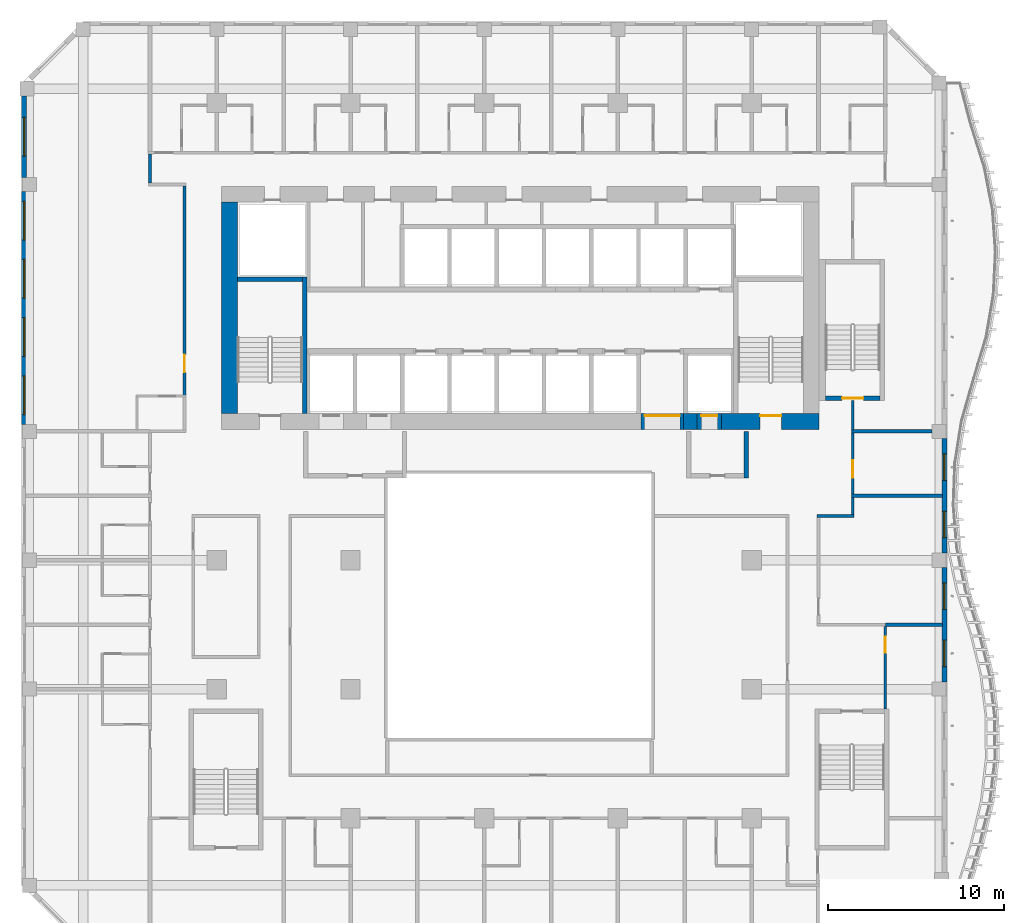
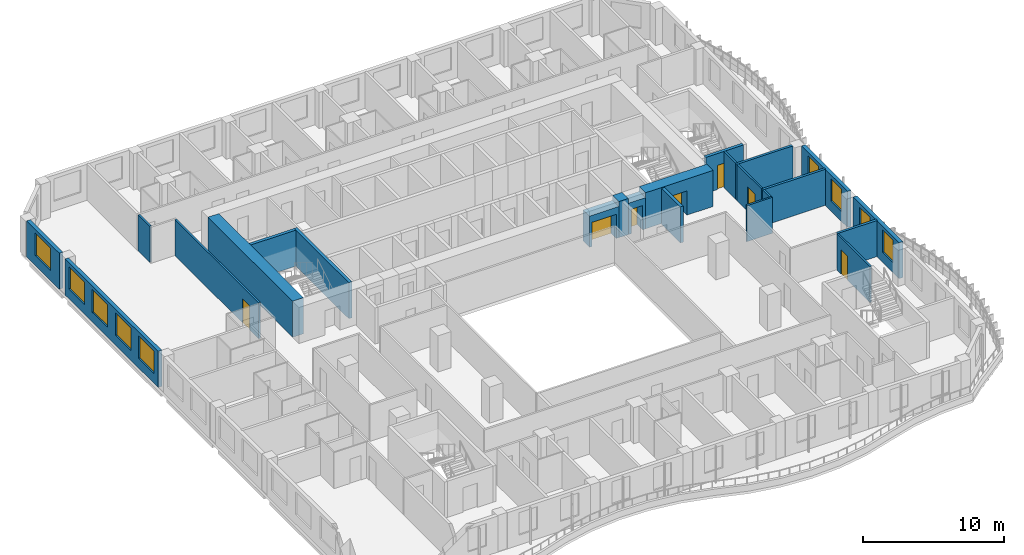
# One storey, part 6 of 22: 23 walls, 9 windows, 7 doors, 16 openings.
"""IFC4 building model written with IfcOpenShell, lengths in metres."""

from ifc_helpers import new_model, si_unit, direction, frame, frame_2d, origin, place, context, subcontext, project, spatial, rectangle, extrude, source, transform, mapped, material, layer, layer_set, type_object, element, fill, save


model = new_model("IFC4")

# Units and contexts
model_context = context("Model", 3, precision=1e-05, world=origin(), true_north=direction((0.0, 1.0)))
body_context = subcontext(model_context, "Body", "Model", "MODEL_VIEW")
ifc_project = project(units=[si_unit("LENGTHUNIT", "METRE"), si_unit("AREAUNIT", "SQUARE_METRE"), si_unit("VOLUMEUNIT", "CUBIC_METRE"), si_unit("PLANEANGLEUNIT", "RADIAN"), si_unit("MASSUNIT", "GRAM", prefix="KILO")], contexts=[model_context])

# Site, building, storey
site_placement = place(None, origin())
site = spatial("IfcSite", under=ifc_project, at=site_placement, CompositionType="ELEMENT")
building_placement = place(site_placement, origin())
building = spatial("IfcBuilding", under=site, at=building_placement, Name="Kilnfold Tower and Market Hall", CompositionType="ELEMENT")
storey_placement = place(building_placement, frame((0.0, 0.0, 143.89990234375)))
storey = spatial("IfcBuildingStorey", under=building, at=storey_placement, Name="L32", CompositionType="ELEMENT", Elevation=143.89990234375)

# Wall, opening, door
ifc_material_1 = material(Name="Gypsum board on steel studs", Category="steel")
ifc_layer_1 = layer(ifc_material_1, 0.14990234375)
ifc_layer_set_1 = layer_set([ifc_layer_1], Name="Gypsum board on steel studs")
wall_type_1 = type_object("IfcWallType", Name="WALL CORRIDOR 150", PredefinedType="PARTITIONING", material=ifc_layer_set_1)
wall_1_placement = place(storey_placement, frame((-18.0, 10.0400390625, 0.0), z_axis=(0.0, 0.0, 1.0), x_axis=(0.0, 1.0, 0.0)))
wall_1 = element("IfcWall", 1, at=wall_1_placement, inside=storey, type_object=wall_type_1, Name="Partition LY21.20", PredefinedType="PARTITIONING", context=body_context, shape_type="SweptSolid", body=[
    extrude(rectangle(XDim=11.885009765625, YDim=0.14990234375, at=frame_2d((5.9423828125, 0.0))), origin(), (0.0, 0.0, 1.0), 3.1201171875),
])
opening_1_placement = place(wall_1_placement, frame((1.30908203125, 0.0, 0.0)))
opening_1 = element("IfcOpeningElement", 2, at=opening_1_placement, cuts=wall_1, Name="Opening D1", PredefinedType="OPENING", context=body_context, shape_type="SweptSolid", body=[
    extrude(rectangle(XDim=1.0, YDim=2.10009765625, at=frame_2d((0.5, 1.050048828125))), frame((0.0, 0.0849609375, 0.0), z_axis=(0.0, -1.0, 0.0), x_axis=(1.0, 0.0, 0.0)), (0.0, 0.0, 1.0), 0.169921875),
])
ifc_material_2 = material(Name="Timber veneer door leaf in steel frame", Category="steel")
door_type_1 = type_object("IfcDoorType", Name="DOOR ENTRY 1000 X2100", OperationType="NOTDEFINED", PredefinedType="DOOR", material=ifc_material_2)
door_1_placement = place(opening_1_placement, origin())
door_1 = element("IfcDoor", 3, at=door_1_placement, inside=storey, type_object=door_type_1, Name="Door D1", OperationType="SINGLE_SWING_RIGHT", OverallHeight=2.10009765625, OverallWidth=1.0, PredefinedType="DOOR", context=body_context, shape_type="SweptSolid", body=[
    extrude(rectangle(XDim=1.0, YDim=2.10009765625, at=frame_2d((0.5, 1.050048828125))), frame((0.0, 0.02490234375, 0.0), z_axis=(0.0, -1.0, 0.0), x_axis=(1.0, 0.0, 0.0)), (0.0, 0.0, 1.0), 0.050048828125),
])
fill(opening_1, door_1)

# Wall
wall_2_placement = place(storey_placement, frame((-19.958984375, 22.074951171875, 0.0), z_axis=(0.0, 0.0, 1.0), x_axis=(0.0, 1.0, 0.0)))
element("IfcWall", 4, at=wall_2_placement, inside=storey, type_object=wall_type_1, Name="Partition LY21.22", PredefinedType="PARTITIONING", context=body_context, shape_type="SweptSolid", body=[
    extrude(rectangle(XDim=1.650146484375, YDim=0.14990234375, at=frame_2d((0.8251953125, 0.0))), origin(), (0.0, 0.0, 1.0), 3.1201171875),
])

# Wall, opening, door
wall_3_placement = place(storey_placement, frame((19.89990234375, 4.43408203125, 0.0), z_axis=(0.0, 0.0, 1.0), x_axis=(0.0, 1.0, 0.0)))
wall_3 = element("IfcWall", 5, at=wall_3_placement, inside=storey, type_object=wall_type_1, Name="Partition LY21.27", PredefinedType="PARTITIONING", context=body_context, shape_type="SweptSolid", body=[
    extrude(rectangle(XDim=3.475830078125, YDim=0.14990234375, at=frame_2d((1.73779296875, 0.0))), origin(), (0.0, 0.0, 1.0), 3.1201171875),
])
opening_2_placement = place(wall_3_placement, frame((0.927001953125, 0.0, 0.0)))
opening_2 = element("IfcOpeningElement", 6, at=opening_2_placement, cuts=wall_3, Name="Opening D4", PredefinedType="OPENING", context=body_context, shape_type="SweptSolid", body=[
    extrude(rectangle(XDim=1.0, YDim=2.10009765625, at=frame_2d((0.5, 1.050048828125))), frame((0.0, 0.0849609375, 0.0), z_axis=(0.0, -1.0, 0.0), x_axis=(1.0, 0.0, 0.0)), (0.0, 0.0, 1.0), 0.169921875),
])
ifc_material_3 = material(Name="Timber veneer door leaf in steel frame", Category="steel")
door_type_2 = type_object("IfcDoorType", Name="DOOR SERVICE 1000 X2100", OperationType="NOTDEFINED", PredefinedType="DOOR", material=ifc_material_3)
door_2_placement = place(opening_2_placement, origin())
door_2 = element("IfcDoor", 7, at=door_2_placement, inside=storey, type_object=door_type_2, Name="Door D4", OperationType="SINGLE_SWING_RIGHT", OverallHeight=2.10009765625, OverallWidth=1.0, PredefinedType="DOOR", context=body_context, shape_type="SweptSolid", body=[
    extrude(rectangle(XDim=1.0, YDim=2.10009765625, at=frame_2d((0.5, 1.050048828125))), frame((0.0, 0.02490234375, 0.0), z_axis=(0.0, -1.0, 0.0), x_axis=(1.0, 0.0, 0.0)), (0.0, 0.0, 1.0), 0.050048828125),
])
fill(opening_2, door_2)

# Walls
wall_4_placement = place(storey_placement, frame((19.89990234375, 8.090087890625, 0.0), z_axis=(0.0, 0.0, 1.0), x_axis=(0.0, 1.0, 0.0)))
element("IfcWall", 8, at=wall_4_placement, inside=storey, type_object=wall_type_1, Name="Partition LY21.30", PredefinedType="PARTITIONING", context=body_context, shape_type="SweptSolid", body=[
    extrude(rectangle(XDim=1.659912109375, YDim=0.14990234375, at=frame_2d((0.830078125, 0.0))), origin(), (0.0, 0.0, 1.0), 3.1201171875),
])
wall_5_placement = place(storey_placement, frame((19.89990234375, 3.27490234375, 0.0), z_axis=(0.0, 0.0, 1.0), x_axis=(0.0, 1.0, 0.0)))
element("IfcWall", 9, at=wall_5_placement, inside=storey, type_object=wall_type_1, Name="Partition LY21.31", PredefinedType="PARTITIONING", context=body_context, shape_type="SweptSolid", body=[
    extrude(rectangle(XDim=0.97900390625, YDim=0.14990234375, at=frame_2d((0.489501953125, 0.0))), origin(), (0.0, 0.0, 1.0), 3.1201171875),
])
wall_6_placement = place(storey_placement, frame((17.884033203125, 3.199951171875, 0.0), z_axis=(0.0, 0.0, 1.0), x_axis=(1.0, 0.0, 0.0)))
element("IfcWall", 10, at=wall_6_placement, inside=storey, type_object=wall_type_1, Name="Partition LY21.32", PredefinedType="PARTITIONING", context=body_context, shape_type="SweptSolid", body=[
    extrude(rectangle(XDim=2.091064453125, YDim=0.14990234375, at=frame_2d((1.04541015625, 0.0))), origin(), (0.0, 0.0, 1.0), 3.1201171875),
])

# Wall, opening, door
wall_7_placement = place(storey_placement, frame((21.75, -7.75, 0.0), z_axis=(0.0, 0.0, 1.0), x_axis=(0.0, 1.0, 0.0)))
wall_7 = element("IfcWall", 11, at=wall_7_placement, inside=storey, type_object=wall_type_1, Name="Partition LY21.35", PredefinedType="PARTITIONING", context=body_context, shape_type="SweptSolid", body=[
    extrude(rectangle(XDim=4.681884765625, YDim=0.14990234375, at=frame_2d((2.3408203125, 0.0))), origin(), (0.0, 0.0, 1.0), 3.1201171875),
])
opening_3_placement = place(wall_7_placement, frame((3.205078125, 0.0, 0.0)))
opening_3 = element("IfcOpeningElement", 12, at=opening_3_placement, cuts=wall_7, Name="Opening D2", PredefinedType="OPENING", context=body_context, shape_type="SweptSolid", body=[
    extrude(rectangle(XDim=0.89990234375, YDim=2.10009765625, at=frame_2d((0.449951171875, 1.050048828125))), frame((0.0, 0.0849609375, 0.0), z_axis=(0.0, -1.0, 0.0), x_axis=(1.0, 0.0, 0.0)), (0.0, 0.0, 1.0), 0.169921875),
])
ifc_material_4 = material(Name="Timber veneer door leaf in steel frame", Category="steel")
door_type_3 = type_object("IfcDoorType", Name="DOOR ROOM 900 X2100", OperationType="NOTDEFINED", PredefinedType="DOOR", material=ifc_material_4)
door_3_placement = place(opening_3_placement, origin())
door_3 = element("IfcDoor", 13, at=door_3_placement, inside=storey, type_object=door_type_3, Name="Door D2", OperationType="SINGLE_SWING_LEFT", OverallHeight=2.10009765625, OverallWidth=0.89990234375, PredefinedType="DOOR", context=body_context, shape_type="SweptSolid", body=[
    extrude(rectangle(XDim=0.89990234375, YDim=2.10009765625, at=frame_2d((0.449951171875, 1.050048828125))), frame((0.0, 0.02490234375, 0.0), z_axis=(0.0, -1.0, 0.0), x_axis=(1.0, 0.0, 0.0)), (0.0, 0.0, 1.0), 0.050048828125),
])
fill(opening_3, door_3)

# Walls
ifc_material_5 = material(Name="Gypsum board on steel studs", Category="steel")
ifc_layer_2 = layer(ifc_material_5, 0.199951171875)
ifc_layer_set_2 = layer_set([ifc_layer_2], Name="Gypsum board on steel studs")
wall_type_2 = type_object("IfcWallType", Name="WALL PARTY 200", PredefinedType="PARTITIONING", material=ifc_layer_set_2)
wall_8_placement = place(storey_placement, frame((19.826904296875, 8.0, 0.0), z_axis=(0.0, 0.0, 1.0), x_axis=(1.0, 0.0, 0.0)))
element("IfcWall", 14, at=wall_8_placement, inside=storey, type_object=wall_type_2, Name="Partition LY21.123", PredefinedType="PARTITIONING", context=body_context, shape_type="SweptSolid", body=[
    extrude(rectangle(XDim=4.572998046875, YDim=0.199951171875, at=frame_2d((2.28662109375, 0.0))), origin(), (0.0, 0.0, 1.0), 3.1201171875),
])
wall_9_placement = place(storey_placement, frame((19.826904296875, 4.343994140625, 0.0), z_axis=(0.0, 0.0, 1.0), x_axis=(1.0, 0.0, 0.0)))
element("IfcWall", 15, at=wall_9_placement, inside=storey, type_object=wall_type_2, Name="Partition LY21.124", PredefinedType="PARTITIONING", context=body_context, shape_type="SweptSolid", body=[
    extrude(rectangle(XDim=5.173095703125, YDim=0.199951171875, at=frame_2d((2.58642578125, 0.0))), origin(), (0.0, 0.0, 1.0), 3.1201171875),
])
wall_10_placement = place(storey_placement, frame((21.7509765625, -2.968017578125, 0.0), z_axis=(0.0, 0.0, 1.0), x_axis=(0.999999954829, -0.000300571071, 0.0)))
element("IfcWall", 16, at=wall_10_placement, inside=storey, type_object=wall_type_2, Name="Partition LY21.125", PredefinedType="PARTITIONING", context=body_context, shape_type="SweptSolid", body=[
    extrude(rectangle(XDim=3.2490234375, YDim=0.199951171875, at=frame_2d((1.62451171875, 0.0))), origin(), (0.0, 0.0, 1.0), 3.1201171875),
])
ifc_material_6 = material(Name="Concrete C70", Category="concrete")
ifc_layer_3 = layer(ifc_material_6, 0.89990234375)
ifc_layer_set_3 = layer_set([ifc_layer_3], Name="Concrete C70")
wall_type_3 = type_object("IfcWallType", Name="CORE WALL 900 C70", PredefinedType="SHEAR", material=ifc_layer_set_3)
shared_shape_1 = source(origin(), body_context, "Body", "SweptSolid", [
    extrude(rectangle(XDim=0.780029296875, YDim=0.89990234375, at=frame_2d((0.39013671875, 0.0))), origin(), (0.0, 0.0, 1.0), 3.1201171875),
])
wall_11_placement = place(storey_placement, frame((10.2900390625, 8.550048828125, 0.0), z_axis=(0.0, 0.0, 1.0), x_axis=(1.0, 0.0, 0.0)))
element("IfcWall", 17, at=wall_11_placement, inside=storey, type_object=wall_type_3, Name="Core outer wall south", PredefinedType="SHEAR", context=body_context, shape_type="MappedRepresentation", body=[
    mapped(shared_shape_1, transform((0.0, 0.0, 0.0))),
])

# Wall, opening, door
shared_shape_2 = source(origin(), body_context, "Body", "SweptSolid", [
    extrude(rectangle(XDim=5.530029296875, YDim=0.89990234375, at=frame_2d((2.76513671875, 0.0))), origin(), (0.0, 0.0, 1.0), 3.1201171875),
])
wall_12_placement = place(storey_placement, frame((12.469970703125, 8.550048828125, 0.0), z_axis=(0.0, 0.0, 1.0), x_axis=(1.0, 0.0, 0.0)))
wall_12 = element("IfcWall", 18, at=wall_12_placement, inside=storey, type_object=wall_type_3, Name="Core outer wall south", PredefinedType="SHEAR", context=body_context, shape_type="MappedRepresentation", body=[
    mapped(shared_shape_2, transform((0.0, 0.0, 0.0))),
])
opening_4_placement = place(wall_12_placement, frame((2.179931640625, 0.0, 0.0)))
opening_4 = element("IfcOpeningElement", 19, at=opening_4_placement, cuts=wall_12, Name="Opening SD1", PredefinedType="OPENING", context=body_context, shape_type="SweptSolid", body=[
    extrude(rectangle(XDim=1.199951171875, YDim=2.10009765625, at=frame_2d((0.60009765625, 1.050048828125))), frame((0.0, 0.4599609375, 0.0), z_axis=(0.0, -1.0, 0.0), x_axis=(1.0, 0.0, 0.0)), (0.0, 0.0, 1.0), 0.919921875),
])
ifc_material_7 = material(Name="Steel door set with fire-resisting leaf", Category="steel")
door_type_4 = type_object("IfcDoorType", Name="STAIR FLOOR DOOR 1200X2100", OperationType="NOTDEFINED", PredefinedType="DOOR", material=ifc_material_7)
door_4_placement = place(opening_4_placement, origin())
door_4 = element("IfcDoor", 20, at=door_4_placement, inside=storey, type_object=door_type_4, Name="Exit stair ST2 door", OperationType="DOUBLE_DOOR_SINGLE_SWING", OverallHeight=2.10009765625, OverallWidth=1.199951171875, PredefinedType="DOOR", context=body_context, shape_type="SweptSolid", body=[
    extrude(rectangle(XDim=1.199951171875, YDim=2.10009765625, at=frame_2d((0.60009765625, 1.050048828125))), frame((0.0, 0.35498046875, 0.0), z_axis=(0.0, -1.0, 0.0), x_axis=(1.0, 0.0, 0.0)), (0.0, 0.0, 1.0), 0.050048828125),
])
fill(opening_4, door_4)

# Walls
shared_shape_3 = source(origin(), body_context, "Body", "SweptSolid", [
    extrude(rectangle(XDim=12.0, YDim=0.89990234375, at=frame_2d((6.0, 0.0))), origin(), (0.0, 0.0, 1.0), 3.1201171875),
])
wall_13_placement = place(storey_placement, frame((-15.449951171875, 9.0, 0.0), z_axis=(0.0, 0.0, 1.0), x_axis=(0.0, 1.0, 0.0)))
element("IfcWall", 21, at=wall_13_placement, inside=storey, type_object=wall_type_3, Name="Core outer wall west", PredefinedType="SHEAR", context=body_context, shape_type="MappedRepresentation", body=[
    mapped(shared_shape_3, transform((0.0, 0.0, 0.0))),
])
ifc_material_8 = material(Name="Concrete C70", Category="concrete")
ifc_layer_4 = layer(ifc_material_8, 0.25)
ifc_layer_set_4 = layer_set([ifc_layer_4], Name="Concrete C70")
wall_type_4 = type_object("IfcWallType", Name="CORE WALL 250 C70", PredefinedType="SHEAR", material=ifc_layer_set_4)
shared_shape_4 = source(origin(), body_context, "Body", "SweptSolid", [
    extrude(rectangle(XDim=7.75, YDim=0.25, at=frame_2d((3.875, 0.0))), origin(), (0.0, 0.0, 1.0), 3.1201171875),
])
wall_14_placement = place(storey_placement, frame((-11.175048828125, 9.0, 0.0), z_axis=(0.0, 0.0, 1.0), x_axis=(0.0, 1.0, 0.0)))
element("IfcWall", 22, at=wall_14_placement, inside=storey, type_object=wall_type_4, Name="Stair enclosure ST1", PredefinedType="SHEAR", context=body_context, shape_type="MappedRepresentation", body=[
    mapped(shared_shape_4, transform((0.0, 0.0, 0.0))),
])
shared_shape_5 = source(origin(), body_context, "Body", "SweptSolid", [
    extrude(rectangle(XDim=3.699951171875, YDim=0.25, at=frame_2d((1.85009765625, 0.0))), origin(), (0.0, 0.0, 1.0), 3.1201171875),
])
wall_15_placement = place(storey_placement, frame((-15.0, 16.625, 0.0), z_axis=(0.0, 0.0, 1.0), x_axis=(1.0, 0.0, 0.0)))
element("IfcWall", 23, at=wall_15_placement, inside=storey, type_object=wall_type_4, Name="Stair enclosure ST1", PredefinedType="SHEAR", context=body_context, shape_type="MappedRepresentation", body=[
    mapped(shared_shape_5, transform((0.0, 0.0, 0.0))),
])

# Wall, opening, door
shared_shape_6 = source(origin(), body_context, "Body", "SweptSolid", [
    extrude(rectangle(XDim=3.099853515625, YDim=0.25, at=frame_2d((1.5498046875, 0.0))), origin(), (0.0, 0.0, 1.0), 3.1201171875),
])
wall_16_placement = place(storey_placement, frame((18.35009765625, 9.875, 0.0), z_axis=(0.0, 0.0, 1.0), x_axis=(1.0, 0.0, 0.0)))
wall_16 = element("IfcWall", 24, at=wall_16_placement, inside=storey, type_object=wall_type_4, Name="Stair enclosure ST5", PredefinedType="SHEAR", context=body_context, shape_type="MappedRepresentation", body=[
    mapped(shared_shape_6, transform((0.0, 0.0, 0.0))),
])
opening_5_placement = place(wall_16_placement, frame((0.949951171875, 0.0, 0.0)))
opening_5 = element("IfcOpeningElement", 25, at=opening_5_placement, cuts=wall_16, Name="Opening SD1", PredefinedType="OPENING", context=body_context, shape_type="SweptSolid", body=[
    extrude(rectangle(XDim=1.199951171875, YDim=2.10009765625, at=frame_2d((0.60009765625, 1.050048828125))), frame((0.0, 0.135009765625, 0.0), z_axis=(0.0, -1.0, 0.0), x_axis=(1.0, 0.0, 0.0)), (0.0, 0.0, 1.0), 0.27001953125),
])
door_5_placement = place(opening_5_placement, origin())
door_5 = element("IfcDoor", 26, at=door_5_placement, inside=storey, type_object=door_type_4, Name="Exit stair ST5 door", OperationType="DOUBLE_DOOR_SINGLE_SWING", OverallHeight=2.10009765625, OverallWidth=1.199951171875, PredefinedType="DOOR", context=body_context, shape_type="SweptSolid", body=[
    extrude(rectangle(XDim=1.199951171875, YDim=2.10009765625, at=frame_2d((0.60009765625, 1.050048828125))), frame((0.0, 0.02490234375, 0.0), z_axis=(0.0, -1.0, 0.0), x_axis=(1.0, 0.0, 0.0)), (0.0, 0.0, 1.0), 0.050048828125),
])
fill(opening_5, door_5)

# Wall, openings, windows
ifc_material_9 = material(Name="Precast concrete C50/60", Category="concrete")
ifc_layer_5 = layer(ifc_material_9, 0.300048828125)
ifc_layer_set_5 = layer_set([ifc_layer_5], Name="Precast concrete C50/60")
wall_type_5 = type_object("IfcWallType", Name="PRECAST WALL 300", PredefinedType="SOLIDWALL", material=ifc_layer_set_5)
shared_shape_7 = source(origin(), body_context, "Body", "SweptSolid", [
    extrude(rectangle(XDim=6.5126953125, YDim=0.300048828125, at=frame_2d((3.25634765625, 0.0))), origin(), (0.0, 0.0, 1.0), 3.1201171875),
])
wall_17_placement = place(storey_placement, frame((25.10009765625, -6.22509765625, 0.0), z_axis=(0.0, 0.0, 1.0), x_axis=(0.0, 1.0, 0.0)))
wall_17 = element("IfcWall", 27, at=wall_17_placement, inside=storey, type_object=wall_type_5, Name="External wall L32 E", PredefinedType="SOLIDWALL", context=body_context, shape_type="MappedRepresentation", body=[
    mapped(shared_shape_7, transform((0.0, 0.0, 0.0))),
])
opening_6_placement = place(wall_17_placement, frame((0.878173828125, 0.0, 0.85009765625)))
opening_6 = element("IfcOpeningElement", 28, at=opening_6_placement, cuts=wall_17, Name="Opening W4", PredefinedType="OPENING", context=body_context, shape_type="SweptSolid", body=[
    extrude(rectangle(XDim=1.5, YDim=1.949951171875, at=frame_2d((0.75, 0.97509765625))), frame((0.0, 0.16015625, 0.0), z_axis=(0.0, -1.0, 0.0), x_axis=(1.0, 0.0, 0.0)), (0.0, 0.0, 1.0), 0.320068359375),
])
opening_7_placement = place(wall_17_placement, frame((4.134521484375, 0.0, 0.85009765625)))
opening_7 = element("IfcOpeningElement", 29, at=opening_7_placement, cuts=wall_17, Name="Opening W4", PredefinedType="OPENING", context=body_context, shape_type="SweptSolid", body=[
    extrude(rectangle(XDim=1.5, YDim=1.949951171875, at=frame_2d((0.75, 0.97509765625))), frame((0.0, 0.16015625, 0.0), z_axis=(0.0, -1.0, 0.0), x_axis=(1.0, 0.0, 0.0)), (0.0, 0.0, 1.0), 0.320068359375),
])
ifc_material_10 = material(Name="Aluminium frame and double glazing", Category="aluminium")
window_type_1 = type_object("IfcWindowType", Name="WINDOW W4 1500X1950", PartitioningType="SINGLE_PANEL", PredefinedType="WINDOW", material=ifc_material_10)
window_1_placement = place(opening_6_placement, origin())
window_1 = element("IfcWindow", 30, at=window_1_placement, inside=storey, type_object=window_type_1, Name="Window W4 L32 E-1", OverallHeight=1.949951171875, OverallWidth=1.5, PartitioningType="SINGLE_PANEL", PredefinedType="WINDOW", context=body_context, shape_type="SweptSolid", body=[
    extrude(rectangle(XDim=1.5, YDim=1.949951171875, at=frame_2d((0.75, 0.97509765625))), frame((0.0, 0.030029296875, 0.0), z_axis=(0.0, -1.0, 0.0), x_axis=(1.0, 0.0, 0.0)), (0.0, 0.0, 1.0), 0.06005859375),
])
fill(opening_6, window_1)
window_2_placement = place(opening_7_placement, origin())
window_2 = element("IfcWindow", 31, at=window_2_placement, inside=storey, type_object=window_type_1, Name="Window W4 L32 E-2", OverallHeight=1.949951171875, OverallWidth=1.5, PartitioningType="SINGLE_PANEL", PredefinedType="WINDOW", context=body_context, shape_type="SweptSolid", body=[
    extrude(rectangle(XDim=1.5, YDim=1.949951171875, at=frame_2d((0.75, 0.97509765625))), frame((0.0, 0.030029296875, 0.0), z_axis=(0.0, -1.0, 0.0), x_axis=(1.0, 0.0, 0.0)), (0.0, 0.0, 1.0), 0.06005859375),
])
fill(opening_7, window_2)

wall_18_placement = place(storey_placement, frame((25.10009765625, 1.08740234375, 0.0), z_axis=(0.0, 0.0, 1.0), x_axis=(0.0, 1.0, 0.0)))
wall_18 = element("IfcWall", 32, at=wall_18_placement, inside=storey, type_object=wall_type_5, Name="External wall L32 E", PredefinedType="SOLIDWALL", context=body_context, shape_type="MappedRepresentation", body=[
    mapped(shared_shape_7, transform((0.0, 0.0, 0.0))),
])
opening_8_placement = place(wall_18_placement, frame((0.878173828125, 0.0, 0.85009765625)))
opening_8 = element("IfcOpeningElement", 33, at=opening_8_placement, cuts=wall_18, Name="Opening W4", PredefinedType="OPENING", context=body_context, shape_type="SweptSolid", body=[
    extrude(rectangle(XDim=1.5, YDim=1.949951171875, at=frame_2d((0.75, 0.97509765625))), frame((0.0, 0.16015625, 0.0), z_axis=(0.0, -1.0, 0.0), x_axis=(1.0, 0.0, 0.0)), (0.0, 0.0, 1.0), 0.320068359375),
])
opening_9_placement = place(wall_18_placement, frame((4.134521484375, 0.0, 0.85009765625)))
opening_9 = element("IfcOpeningElement", 34, at=opening_9_placement, cuts=wall_18, Name="Opening W4", PredefinedType="OPENING", context=body_context, shape_type="SweptSolid", body=[
    extrude(rectangle(XDim=1.5, YDim=1.949951171875, at=frame_2d((0.75, 0.97509765625))), frame((0.0, 0.16015625, 0.0), z_axis=(0.0, -1.0, 0.0), x_axis=(1.0, 0.0, 0.0)), (0.0, 0.0, 1.0), 0.320068359375),
])
window_3_placement = place(opening_8_placement, origin())
window_3 = element("IfcWindow", 35, at=window_3_placement, inside=storey, type_object=window_type_1, Name="Window W4 L32 E-1", OverallHeight=1.949951171875, OverallWidth=1.5, PartitioningType="SINGLE_PANEL", PredefinedType="WINDOW", context=body_context, shape_type="SweptSolid", body=[
    extrude(rectangle(XDim=1.5, YDim=1.949951171875, at=frame_2d((0.75, 0.97509765625))), frame((0.0, 0.030029296875, 0.0), z_axis=(0.0, -1.0, 0.0), x_axis=(1.0, 0.0, 0.0)), (0.0, 0.0, 1.0), 0.06005859375),
])
fill(opening_8, window_3)
window_4_placement = place(opening_9_placement, origin())
window_4 = element("IfcWindow", 36, at=window_4_placement, inside=storey, type_object=window_type_1, Name="Window W4 L32 E-2", OverallHeight=1.949951171875, OverallWidth=1.5, PartitioningType="SINGLE_PANEL", PredefinedType="WINDOW", context=body_context, shape_type="SweptSolid", body=[
    extrude(rectangle(XDim=1.5, YDim=1.949951171875, at=frame_2d((0.75, 0.97509765625))), frame((0.0, 0.030029296875, 0.0), z_axis=(0.0, -1.0, 0.0), x_axis=(1.0, 0.0, 0.0)), (0.0, 0.0, 1.0), 0.06005859375),
])
fill(opening_9, window_4)

shared_shape_8 = source(origin(), body_context, "Body", "SweptSolid", [
    extrude(rectangle(XDim=13.2001953125, YDim=0.300048828125, at=frame_2d((6.60009765625, 0.0))), origin(), (0.0, 0.0, 1.0), 3.1201171875),
])
wall_19_placement = place(storey_placement, frame((-27.10009765625, 21.60009765625, 0.0), z_axis=(0.0, 0.0, 1.0), x_axis=(0.0, -1.0, 0.0)))
wall_19 = element("IfcWall", 37, at=wall_19_placement, inside=storey, type_object=wall_type_5, Name="External wall L32 W", PredefinedType="SOLIDWALL", context=body_context, shape_type="MappedRepresentation", body=[
    mapped(shared_shape_8, transform((0.0, 0.0, 0.0))),
])
opening_10_placement = place(wall_19_placement, frame((0.550048828125, 0.0, 0.85009765625)))
opening_10 = element("IfcOpeningElement", 38, at=opening_10_placement, cuts=wall_19, Name="Opening W2", PredefinedType="OPENING", context=body_context, shape_type="SweptSolid", body=[
    extrude(rectangle(XDim=2.199951171875, YDim=1.949951171875, at=frame_2d((1.10009765625, 0.97509765625))), frame((0.0, 0.16015625, 0.0), z_axis=(0.0, -1.0, 0.0), x_axis=(1.0, 0.0, 0.0)), (0.0, 0.0, 1.0), 0.320068359375),
])
opening_11_placement = place(wall_19_placement, frame((3.85009765625, 0.0, 0.85009765625)))
opening_11 = element("IfcOpeningElement", 39, at=opening_11_placement, cuts=wall_19, Name="Opening W2", PredefinedType="OPENING", context=body_context, shape_type="SweptSolid", body=[
    extrude(rectangle(XDim=2.199951171875, YDim=1.949951171875, at=frame_2d((1.10009765625, 0.97509765625))), frame((0.0, 0.16015625, 0.0), z_axis=(0.0, -1.0, 0.0), x_axis=(1.0, 0.0, 0.0)), (0.0, 0.0, 1.0), 0.320068359375),
])
opening_12_placement = place(wall_19_placement, frame((7.14990234375, 0.0, 0.85009765625)))
opening_12 = element("IfcOpeningElement", 40, at=opening_12_placement, cuts=wall_19, Name="Opening W2", PredefinedType="OPENING", context=body_context, shape_type="SweptSolid", body=[
    extrude(rectangle(XDim=2.199951171875, YDim=1.949951171875, at=frame_2d((1.10009765625, 0.97509765625))), frame((0.0, 0.16015625, 0.0), z_axis=(0.0, -1.0, 0.0), x_axis=(1.0, 0.0, 0.0)), (0.0, 0.0, 1.0), 0.320068359375),
])
opening_13_placement = place(wall_19_placement, frame((10.449951171875, 0.0, 0.85009765625)))
opening_13 = element("IfcOpeningElement", 41, at=opening_13_placement, cuts=wall_19, Name="Opening W2", PredefinedType="OPENING", context=body_context, shape_type="SweptSolid", body=[
    extrude(rectangle(XDim=2.199951171875, YDim=1.949951171875, at=frame_2d((1.10009765625, 0.97509765625))), frame((0.0, 0.16015625, 0.0), z_axis=(0.0, -1.0, 0.0), x_axis=(1.0, 0.0, 0.0)), (0.0, 0.0, 1.0), 0.320068359375),
])
ifc_material_11 = material(Name="Aluminium frame and double glazing", Category="aluminium")
window_type_2 = type_object("IfcWindowType", Name="WINDOW W2 2200X1950", PartitioningType="SINGLE_PANEL", PredefinedType="WINDOW", material=ifc_material_11)
window_5_placement = place(opening_10_placement, origin())
window_5 = element("IfcWindow", 42, at=window_5_placement, inside=storey, type_object=window_type_2, Name="Window W2 L32 W-1", OverallHeight=1.949951171875, OverallWidth=2.199951171875, PartitioningType="SINGLE_PANEL", PredefinedType="WINDOW", context=body_context, shape_type="SweptSolid", body=[
    extrude(rectangle(XDim=2.199951171875, YDim=1.949951171875, at=frame_2d((1.10009765625, 0.97509765625))), frame((0.0, 0.030029296875, 0.0), z_axis=(0.0, -1.0, 0.0), x_axis=(1.0, 0.0, 0.0)), (0.0, 0.0, 1.0), 0.06005859375),
])
fill(opening_10, window_5)
window_6_placement = place(opening_11_placement, origin())
window_6 = element("IfcWindow", 43, at=window_6_placement, inside=storey, type_object=window_type_2, Name="Window W2 L32 W-2", OverallHeight=1.949951171875, OverallWidth=2.199951171875, PartitioningType="SINGLE_PANEL", PredefinedType="WINDOW", context=body_context, shape_type="SweptSolid", body=[
    extrude(rectangle(XDim=2.199951171875, YDim=1.949951171875, at=frame_2d((1.10009765625, 0.97509765625))), frame((0.0, 0.030029296875, 0.0), z_axis=(0.0, -1.0, 0.0), x_axis=(1.0, 0.0, 0.0)), (0.0, 0.0, 1.0), 0.06005859375),
])
fill(opening_11, window_6)
window_7_placement = place(opening_12_placement, origin())
window_7 = element("IfcWindow", 44, at=window_7_placement, inside=storey, type_object=window_type_2, Name="Window W2 L32 W-3", OverallHeight=1.949951171875, OverallWidth=2.199951171875, PartitioningType="SINGLE_PANEL", PredefinedType="WINDOW", context=body_context, shape_type="SweptSolid", body=[
    extrude(rectangle(XDim=2.199951171875, YDim=1.949951171875, at=frame_2d((1.10009765625, 0.97509765625))), frame((0.0, 0.030029296875, 0.0), z_axis=(0.0, -1.0, 0.0), x_axis=(1.0, 0.0, 0.0)), (0.0, 0.0, 1.0), 0.06005859375),
])
fill(opening_12, window_7)
window_8_placement = place(opening_13_placement, origin())
window_8 = element("IfcWindow", 45, at=window_8_placement, inside=storey, type_object=window_type_2, Name="Window W2 L32 W-4", OverallHeight=1.949951171875, OverallWidth=2.199951171875, PartitioningType="SINGLE_PANEL", PredefinedType="WINDOW", context=body_context, shape_type="SweptSolid", body=[
    extrude(rectangle(XDim=2.199951171875, YDim=1.949951171875, at=frame_2d((1.10009765625, 0.97509765625))), frame((0.0, 0.030029296875, 0.0), z_axis=(0.0, -1.0, 0.0), x_axis=(1.0, 0.0, 0.0)), (0.0, 0.0, 1.0), 0.06005859375),
])
fill(opening_13, window_8)

# Wall, opening, window
shared_shape_9 = source(origin(), body_context, "Body", "SweptSolid", [
    extrude(rectangle(XDim=4.6318359375, YDim=0.300048828125, at=frame_2d((2.31591796875, 0.0))), origin(), (0.0, 0.0, 1.0), 3.1201171875),
])
wall_20_placement = place(storey_placement, frame((-27.10009765625, 27.03173828125, 0.0), z_axis=(0.0, 0.0, 1.0), x_axis=(0.0, -1.0, 0.0)))
wall_20 = element("IfcWall", 46, at=wall_20_placement, inside=storey, type_object=wall_type_5, Name="External wall L32 W", PredefinedType="SOLIDWALL", context=body_context, shape_type="MappedRepresentation", body=[
    mapped(shared_shape_9, transform((0.0, 0.0, 0.0))),
])
opening_14_placement = place(wall_20_placement, frame((1.2158203125, 0.0, 0.85009765625)))
opening_14 = element("IfcOpeningElement", 47, at=opening_14_placement, cuts=wall_20, Name="Opening W2", PredefinedType="OPENING", context=body_context, shape_type="SweptSolid", body=[
    extrude(rectangle(XDim=2.199951171875, YDim=1.949951171875, at=frame_2d((1.10009765625, 0.97509765625))), frame((0.0, 0.16015625, 0.0), z_axis=(0.0, -1.0, 0.0), x_axis=(1.0, 0.0, 0.0)), (0.0, 0.0, 1.0), 0.320068359375),
])
window_9_placement = place(opening_14_placement, origin())
window_9 = element("IfcWindow", 48, at=window_9_placement, inside=storey, type_object=window_type_2, Name="Window W2 L32 W-1", OverallHeight=1.949951171875, OverallWidth=2.199951171875, PartitioningType="SINGLE_PANEL", PredefinedType="WINDOW", context=body_context, shape_type="SweptSolid", body=[
    extrude(rectangle(XDim=2.199951171875, YDim=1.949951171875, at=frame_2d((1.10009765625, 0.97509765625))), frame((0.0, 0.030029296875, 0.0), z_axis=(0.0, -1.0, 0.0), x_axis=(1.0, 0.0, 0.0)), (0.0, 0.0, 1.0), 0.06005859375),
])
fill(opening_14, window_9)

# Wall
ifc_material_12 = material(Name="Gypsum shaft wall system")
ifc_layer_6 = layer(ifc_material_12, 0.25)
ifc_layer_set_6 = layer_set([ifc_layer_6], Name="Gypsum shaft wall system")
wall_type_6 = type_object("IfcWallType", Name="LOBBY WALL 250", PredefinedType="PARTITIONING", material=ifc_layer_set_6)
shared_shape_10 = source(origin(), body_context, "Body", "SweptSolid", [
    extrude(rectangle(XDim=2.64990234375, YDim=0.25, at=frame_2d((1.324951171875, 0.0))), origin(), (0.0, 0.0, 1.0), 3.1201171875),
])
wall_21_placement = place(storey_placement, frame((13.85498046875, 5.35009765625, 0.0), z_axis=(0.0, 0.0, 1.0), x_axis=(0.0, 1.0, 0.0)))
element("IfcWall", 49, at=wall_21_placement, inside=storey, type_object=wall_type_6, Name="Firefighting lobby wall", PredefinedType="PARTITIONING", context=body_context, shape_type="MappedRepresentation", body=[
    mapped(shared_shape_10, transform((0.0, 0.0, 0.0))),
])

# Wall, opening, door
ifc_material_13 = material(Name="Gypsum shaft wall system")
ifc_layer_7 = layer(ifc_material_13, 0.89990234375)
ifc_layer_set_7 = layer_set([ifc_layer_7], Name="Gypsum shaft wall system")
wall_type_7 = type_object("IfcWallType", Name="LOBBY WALL 900", PredefinedType="PARTITIONING", material=ifc_layer_set_7)
shared_shape_11 = source(origin(), body_context, "Body", "SweptSolid", [
    extrude(rectangle(XDim=1.39990234375, YDim=0.89990234375, at=frame_2d((0.699951171875, 0.0))), origin(), (0.0, 0.0, 1.0), 2.7001953125),
])
wall_22_placement = place(storey_placement, frame((11.070068359375, 8.550048828125, 0.0), z_axis=(0.0, 0.0, 1.0), x_axis=(1.0, 0.0, 0.0)))
wall_22 = element("IfcWall", 50, at=wall_22_placement, inside=storey, type_object=wall_type_7, Name="Core wall infill", PredefinedType="PARTITIONING", context=body_context, shape_type="MappedRepresentation", body=[
    mapped(shared_shape_11, transform((0.0, 0.0, 0.0))),
])
opening_15_placement = place(wall_22_placement, frame((0.25, 0.0, 0.0)))
opening_15 = element("IfcOpeningElement", 51, at=opening_15_placement, cuts=wall_22, Name="Opening LD1", PredefinedType="OPENING", context=body_context, shape_type="SweptSolid", body=[
    extrude(rectangle(XDim=0.89990234375, YDim=2.10009765625, at=frame_2d((0.449951171875, 1.050048828125))), frame((0.0, 0.4599609375, 0.0), z_axis=(0.0, -1.0, 0.0), x_axis=(1.0, 0.0, 0.0)), (0.0, 0.0, 1.0), 0.919921875),
])
ifc_material_14 = material(Name="Steel door set with fire-resisting leaf", Category="steel")
door_type_5 = type_object("IfcDoorType", Name="FIREFIGHTING LANDING DOOR 900X2100", OperationType="NOTDEFINED", PredefinedType="DOOR", material=ifc_material_14)
door_6_placement = place(opening_15_placement, origin())
door_6 = element("IfcDoor", 52, at=door_6_placement, inside=storey, type_object=door_type_5, Name="Landing door FF3", OperationType="SLIDING_TO_LEFT", OverallHeight=2.10009765625, OverallWidth=0.89990234375, PredefinedType="DOOR", context=body_context, shape_type="SweptSolid", body=[
    extrude(rectangle(XDim=0.89990234375, YDim=2.10009765625, at=frame_2d((0.449951171875, 1.050048828125))), frame((0.0, 0.35498046875, 0.0), z_axis=(0.0, -1.0, 0.0), x_axis=(1.0, 0.0, 0.0)), (0.0, 0.0, 1.0), 0.050048828125),
])
fill(opening_15, door_6)

shared_shape_12 = source(origin(), body_context, "Body", "SweptSolid", [
    extrude(rectangle(XDim=2.400146484375, YDim=0.89990234375, at=frame_2d((1.2001953125, 0.0))), origin(), (0.0, 0.0, 1.0), 2.7001953125),
])
wall_23_placement = place(storey_placement, frame((7.889892578125, 8.550048828125, 0.0), z_axis=(0.0, 0.0, 1.0), x_axis=(1.0, 0.0, 0.0)))
wall_23 = element("IfcWall", 53, at=wall_23_placement, inside=storey, type_object=wall_type_7, Name="Core wall infill", PredefinedType="PARTITIONING", context=body_context, shape_type="MappedRepresentation", body=[
    mapped(shared_shape_12, transform((0.0, 0.0, 0.0))),
])
opening_16_placement = place(wall_23_placement, frame((0.199951171875, 0.0, 0.0)))
opening_16 = element("IfcOpeningElement", 54, at=opening_16_placement, cuts=wall_23, Name="Opening VD2", PredefinedType="OPENING", context=body_context, shape_type="SweptSolid", body=[
    extrude(rectangle(XDim=2.0, YDim=2.10009765625, at=frame_2d((1.0, 1.050048828125))), frame((0.0, 0.4599609375, 0.0), z_axis=(0.0, -1.0, 0.0), x_axis=(1.0, 0.0, 0.0)), (0.0, 0.0, 1.0), 0.919921875),
])
ifc_material_15 = material(Name="Steel door set with fire-resisting leaf", Category="steel")
door_type_6 = type_object("IfcDoorType", Name="LIFT LOBBY ENTRANCE DOOR 2000X2100", OperationType="NOTDEFINED", PredefinedType="DOOR", material=ifc_material_15)
door_7_placement = place(opening_16_placement, origin())
door_7 = element("IfcDoor", 55, at=door_7_placement, inside=storey, type_object=door_type_6, Name="Lift lobby entrance door", OperationType="DOUBLE_DOOR_SINGLE_SWING", OverallHeight=2.10009765625, OverallWidth=2.0, PredefinedType="DOOR", context=body_context, shape_type="SweptSolid", body=[
    extrude(rectangle(XDim=2.0, YDim=2.10009765625, at=frame_2d((1.0, 1.050048828125))), frame((0.0, 0.35498046875, 0.0), z_axis=(0.0, -1.0, 0.0), x_axis=(1.0, 0.0, 0.0)), (0.0, 0.0, 1.0), 0.050048828125),
])
fill(opening_16, door_7)

save(model, "model.ifc")
